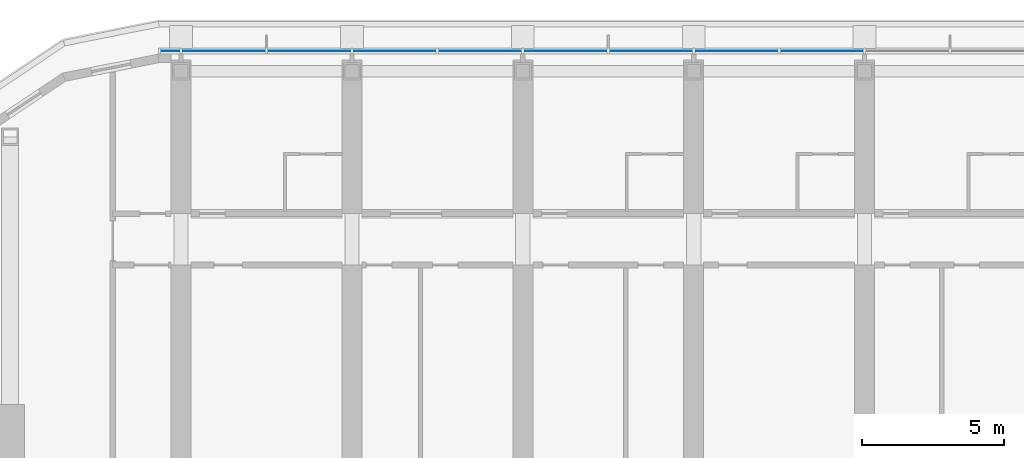
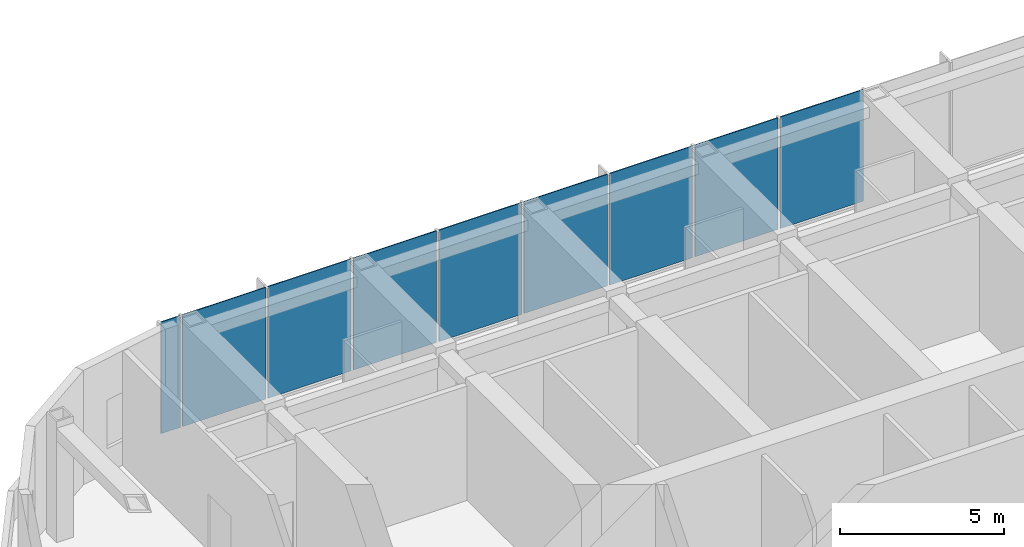
# One storey, part 11 of 35: 9 plates, 1 element without a shape of its own.
"""IFC4 building model written with IfcOpenShell, lengths in metres."""

from ifc_helpers import new_model, si_unit, direction, frame, origin, origin_2d, place, context, subcontext, project, spatial, rectangle, extrude, material, layer, layer_set, type_object, element, aggregate, save


model = new_model("IFC4")

# Units and contexts
model_context = context("Model", 3, precision=1e-05, world=origin(), true_north=direction((0.0, 1.0)))
body_context = subcontext(model_context, "Body", "Model", "MODEL_VIEW")
ifc_project = project(units=[si_unit("LENGTHUNIT", "METRE"), si_unit("AREAUNIT", "SQUARE_METRE"), si_unit("VOLUMEUNIT", "CUBIC_METRE"), si_unit("PLANEANGLEUNIT", "RADIAN"), si_unit("MASSUNIT", "GRAM", prefix="KILO")], contexts=[model_context])

# Site, building, storey
site_placement = place(None, origin())
site = spatial("IfcSite", under=ifc_project, at=site_placement, CompositionType="ELEMENT")
building_placement = place(site_placement, origin())
building = spatial("IfcBuilding", under=site, at=building_placement, Name="Orbita Commons", CompositionType="ELEMENT")
storey_placement = place(building_placement, frame((0.0, 0.0, 208.300048828125)))
storey = spatial("IfcBuildingStorey", under=building, at=storey_placement, Name="L51", CompositionType="ELEMENT", Elevation=208.300048828125)

# Curtain wall, plates
ifc_material_1 = material(Name="Anodised aluminium frame, pale silver", Category="aluminium")
curtain_wall_type = type_object("IfcCurtainWallType", Name="Unitised curtain wall CW-S, full-height", PredefinedType="NOTDEFINED", material=ifc_material_1)
curtain_wall_placement = place(storey_placement, origin())
curtain_wall = element("IfcCurtainWall", 1, at=curtain_wall_placement, inside=storey, type_object=curtain_wall_type, Name="Curtain wall north L51", PredefinedType="NOTDEFINED")
ifc_material_2 = material(Name="Low-iron glass", Category="glass")
ifc_layer = layer(ifc_material_2, 0.031982421875)
ifc_layer_set = layer_set([ifc_layer], Name="Low-iron glass")
plate_type = type_object("IfcPlateType", Name="Vision panel, clear low-iron glazing 32", PredefinedType="CURTAIN_PANEL", material=ifc_layer_set)
plate_1_placement = place(storey_placement, frame((40.5, 53.110107421875, 0.10009765625), z_axis=(0.0, 0.0, 1.0), x_axis=(-1.0, 0.0, 0.0)))
plate_1 = element("IfcPlate", 2, at=plate_1_placement, type_object=plate_type, Name="Panel 10.1 CW-L51-N", PredefinedType="CURTAIN_PANEL", context=body_context, shape_type="SweptSolid", body=[
    extrude(rectangle(XDim=2.919921875, YDim=0.031982421875, at=origin_2d()), origin(), (0.0, 0.0, 1.0), 4.14990234375),
])
plate_2_placement = place(storey_placement, frame((37.5, 53.110107421875, 0.10009765625), z_axis=(0.0, 0.0, 1.0), x_axis=(-1.0, 0.0, 0.0)))
plate_2 = element("IfcPlate", 3, at=plate_2_placement, type_object=plate_type, Name="Panel 11.1 CW-L51-N", PredefinedType="CURTAIN_PANEL", context=body_context, shape_type="SweptSolid", body=[
    extrude(rectangle(XDim=2.919921875, YDim=0.031982421875, at=origin_2d()), origin(), (0.0, 0.0, 1.0), 4.14990234375),
])
plate_3_placement = place(storey_placement, frame((34.5, 53.110107421875, 0.10009765625), z_axis=(0.0, 0.0, 1.0), x_axis=(-1.0, 0.0, 0.0)))
plate_3 = element("IfcPlate", 4, at=plate_3_placement, type_object=plate_type, Name="Panel 12.1 CW-L51-N", PredefinedType="CURTAIN_PANEL", context=body_context, shape_type="SweptSolid", body=[
    extrude(rectangle(XDim=2.919921875, YDim=0.031982421875, at=origin_2d()), origin(), (0.0, 0.0, 1.0), 4.14990234375),
])
plate_4_placement = place(storey_placement, frame((31.5, 53.110107421875, 0.10009765625), z_axis=(0.0, 0.0, 1.0), x_axis=(-1.0, 0.0, 0.0)))
plate_4 = element("IfcPlate", 5, at=plate_4_placement, type_object=plate_type, Name="Panel 13.1 CW-L51-N", PredefinedType="CURTAIN_PANEL", context=body_context, shape_type="SweptSolid", body=[
    extrude(rectangle(XDim=2.919921875, YDim=0.031982421875, at=origin_2d()), origin(), (0.0, 0.0, 1.0), 4.14990234375),
])
plate_5_placement = place(storey_placement, frame((28.5, 53.110107421875, 0.10009765625), z_axis=(0.0, 0.0, 1.0), x_axis=(-1.0, 0.0, 0.0)))
plate_5 = element("IfcPlate", 6, at=plate_5_placement, type_object=plate_type, Name="Panel 14.1 CW-L51-N", PredefinedType="CURTAIN_PANEL", context=body_context, shape_type="SweptSolid", body=[
    extrude(rectangle(XDim=2.919921875, YDim=0.031982421875, at=origin_2d()), origin(), (0.0, 0.0, 1.0), 4.14990234375),
])
plate_6_placement = place(storey_placement, frame((25.5, 53.110107421875, 0.10009765625), z_axis=(0.0, 0.0, 1.0), x_axis=(-1.0, 0.0, 0.0)))
plate_6 = element("IfcPlate", 7, at=plate_6_placement, type_object=plate_type, Name="Panel 15.1 CW-L51-N", PredefinedType="CURTAIN_PANEL", context=body_context, shape_type="SweptSolid", body=[
    extrude(rectangle(XDim=2.919921875, YDim=0.031982421875, at=origin_2d()), origin(), (0.0, 0.0, 1.0), 4.14990234375),
])
plate_7_placement = place(storey_placement, frame((22.5, 53.110107421875, 0.10009765625), z_axis=(0.0, 0.0, 1.0), x_axis=(-1.0, 0.0, 0.0)))
plate_7 = element("IfcPlate", 8, at=plate_7_placement, type_object=plate_type, Name="Panel 16.1 CW-L51-N", PredefinedType="CURTAIN_PANEL", context=body_context, shape_type="SweptSolid", body=[
    extrude(rectangle(XDim=2.919921875, YDim=0.031982421875, at=origin_2d()), origin(), (0.0, 0.0, 1.0), 4.14990234375),
])
plate_8_placement = place(storey_placement, frame((19.5, 53.110107421875, 0.10009765625), z_axis=(0.0, 0.0, 1.0), x_axis=(-1.0, 0.0, 0.0)))
plate_8 = element("IfcPlate", 9, at=plate_8_placement, type_object=plate_type, Name="Panel 17.1 CW-L51-N", PredefinedType="CURTAIN_PANEL", context=body_context, shape_type="SweptSolid", body=[
    extrude(rectangle(XDim=2.919921875, YDim=0.031982421875, at=origin_2d()), origin(), (0.0, 0.0, 1.0), 4.14990234375),
])
plate_9_placement = place(storey_placement, frame((17.6201171875, 53.110107421875, 0.10009765625), z_axis=(0.0, 0.0, 1.0), x_axis=(-1.0, 0.0, 0.0)))
plate_9 = element("IfcPlate", 10, at=plate_9_placement, type_object=plate_type, Name="Panel 18.1 CW-L51-N", PredefinedType="CURTAIN_PANEL", context=body_context, shape_type="SweptSolid", body=[
    extrude(rectangle(XDim=0.679931640625, YDim=0.031982421875, at=origin_2d()), origin(), (0.0, 0.0, 1.0), 4.14990234375),
])
aggregate(curtain_wall, [plate_1, plate_2, plate_3, plate_4, plate_5, plate_6, plate_7, plate_8, plate_9])

save(model, "model.ifc")
